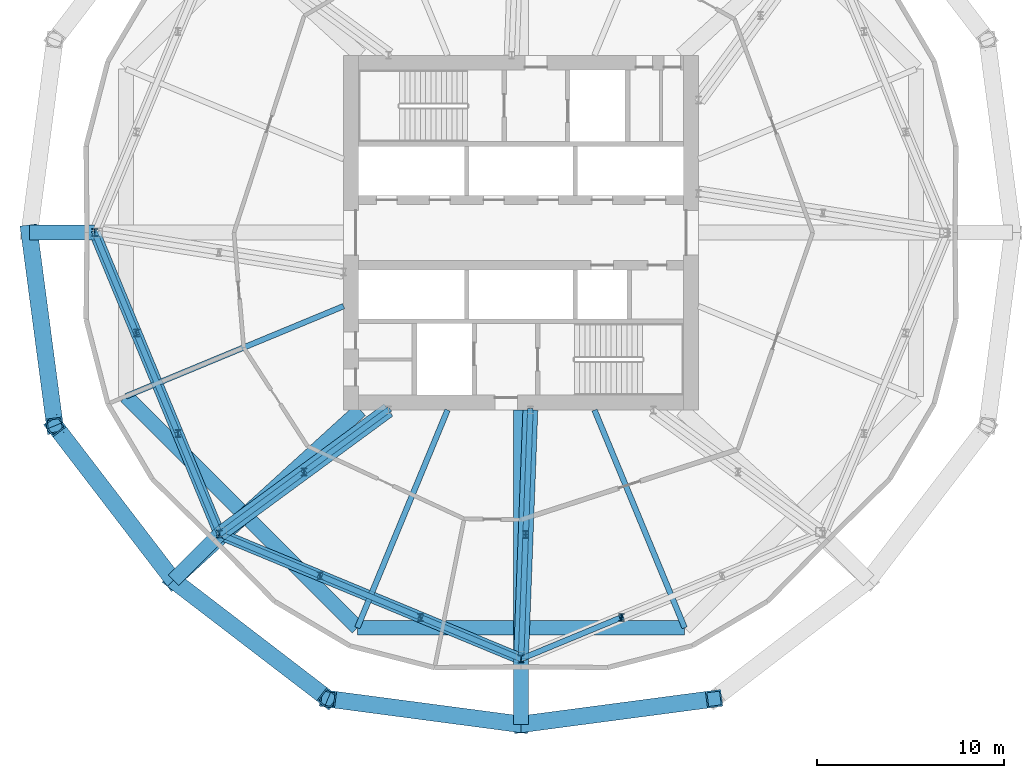
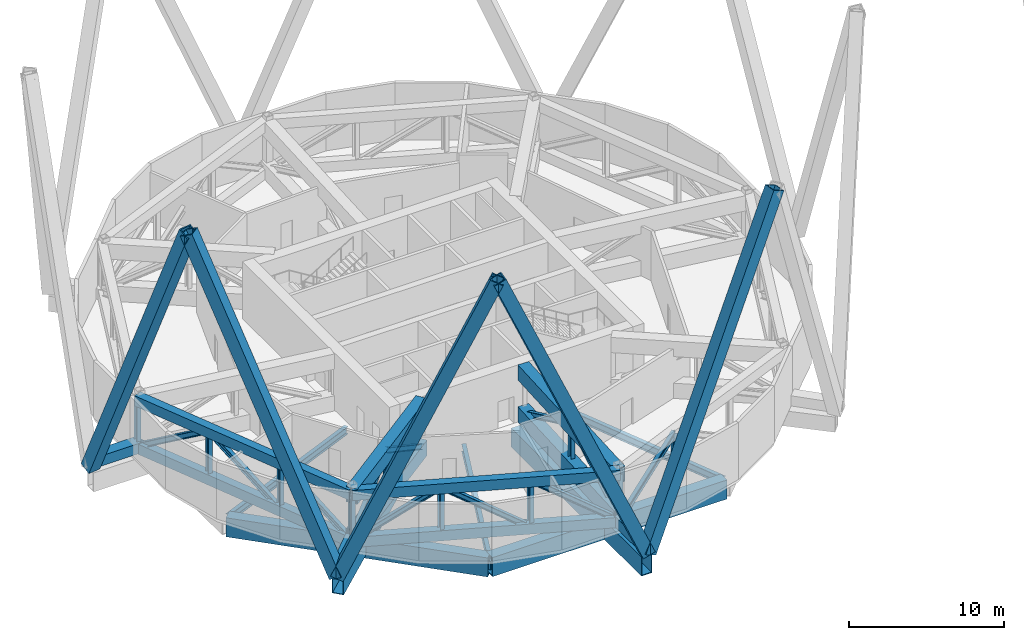
# One storey, part 3 of 21: 34 members, 10 beams.
"""IFC4 building model written with IfcOpenShell, lengths in metres."""

import ifcopenshell
import ifcopenshell.guid

model = None  # the IFC model being written
_history = None  # IfcOwnerHistory: only IFC2X3 demands one
_inside = {}  # id of a spatial element -> (the spatial element, [elements in it])
_under = {}  # id of a project, library or spatial element -> (it, [spatial elements below it])
_declared = {}  # id of a project -> (the project, [libraries it declares])
_typed = {}  # id of a type object -> (the type object, [elements of that type])
_made_of = {}  # id of a material, layer set ... -> (it, [elements and type objects made of it])


def new_model(schema):
    """Start an empty IFC model of exactly this schema.

    Asked for "IFC4X3", IfcOpenShell would pick the latest addendum, in which some entities
    have other attributes; the version numbers below select the first issue.
    IFC2X3 requires an IfcOwnerHistory on every rooted entity: one is made here for all.
    """
    global model, _history
    if schema == "IFC4X3":
        model = ifcopenshell.file(schema_version=(4, 3, 0, 0))
    else:
        model = ifcopenshell.file(schema=schema)
    _inside.clear()
    _under.clear()
    _declared.clear()
    _typed.clear()
    _made_of.clear()
    _history = None
    if model.schema == "IFC2X3":
        org = make("IfcOrganization", Name="unknown")
        user = make(
            "IfcPersonAndOrganization",
            ThePerson=make("IfcPerson", FamilyName="unknown"),
            TheOrganization=org,
        )
        app = make(
            "IfcApplication",
            ApplicationDeveloper=org,
            Version="unknown",
            ApplicationFullName="unknown",
            ApplicationIdentifier="unknown",
        )
        _history = make(
            "IfcOwnerHistory",
            OwningUser=user,
            OwningApplication=app,
            ChangeAction="ADDED",
            CreationDate=0,
        )
    return model


def make(cls, **values):
    """One entity of the class cls with the attributes given. An attribute that is None is left unset."""
    return model.create_entity(
        cls, **{name: value for name, value in values.items() if value is not None}
    )


def rooted(cls, **values):
    """An entity with a GlobalId (a new one), such as an element, a storey or a relation."""
    return make(cls, GlobalId=ifcopenshell.guid.new(), OwnerHistory=_history, **values)


def si_unit(unit_type, name, prefix=None):
    """IfcSIUnit, for example si_unit("LENGTHUNIT", "METRE", prefix="MILLI")."""
    return make("IfcSIUnit", UnitType=unit_type, Prefix=prefix, Name=name)


def assignment(units):
    """IfcUnitAssignment: the units of a project."""
    return None if units is None else make("IfcUnitAssignment", Units=units)


def point(xyz):
    """IfcCartesianPoint."""
    return None if xyz is None else make("IfcCartesianPoint", Coordinates=xyz)


def direction(xyz):
    """IfcDirection."""
    return None if xyz is None else make("IfcDirection", DirectionRatios=xyz)


def frame(location, z_axis=None, x_axis=None):
    """IfcAxis2Placement3D, a coordinate frame: its origin and axes. An axis left out is left unset."""
    return make(
        "IfcAxis2Placement3D",
        Location=point(location),
        Axis=direction(z_axis),
        RefDirection=direction(x_axis),
    )


def frame_2d(location, x_axis=None):
    """IfcAxis2Placement2D, a coordinate frame in the plane: its origin and x axis."""
    return make(
        "IfcAxis2Placement2D", Location=point(location), RefDirection=direction(x_axis)
    )


def origin():
    """The frame at (0, 0, 0) with its axes left unset."""
    return frame((0.0, 0.0, 0.0))


def origin_2d():
    """The frame at (0, 0) in the plane with its x axis left unset."""
    return frame_2d((0.0, 0.0))


def place(relative_to, where):
    """IfcLocalPlacement: puts the frame where relative to a parent placement (None: the world)."""
    return make(
        "IfcLocalPlacement", PlacementRelTo=relative_to, RelativePlacement=where
    )


def context(
    kind, dimensions, precision=None, world=None, true_north=None, identifier=None
):
    """IfcGeometricRepresentationContext, for example the 3D "Model" context."""
    return make(
        "IfcGeometricRepresentationContext",
        ContextIdentifier=identifier,
        ContextType=kind,
        CoordinateSpaceDimension=dimensions,
        Precision=precision,
        WorldCoordinateSystem=world,
        TrueNorth=true_north,
    )


def subcontext(parent, identifier, kind, view, scale=None):
    """IfcGeometricRepresentationSubContext, for example "Body" below "Model"."""
    return make(
        "IfcGeometricRepresentationSubContext",
        ContextIdentifier=identifier,
        ContextType=kind,
        ParentContext=parent,
        TargetScale=scale,
        TargetView=view,
    )


def project(units=None, contexts=None):
    """IfcProject with its units and contexts."""
    return rooted(
        "IfcProject",
        Name="project",
        RepresentationContexts=contexts,
        UnitsInContext=assignment(units),
    )


def spatial(cls, under=None, at=None, **own):
    """A site, building, storey or space (cls), placed at a placement, below another one or the project."""
    s = rooted(cls, ObjectPlacement=at, **own)
    if under is not None:
        _under.setdefault(under.id(), (under, []))[1].append(s)
    return s


def profile(cls, at=None, kind="AREA", **sizes):
    """A parametric profile (cls). Its sizes go by their IFC names, for example OverallWidth=200.0."""
    return make(cls, ProfileType=kind, Position=at, **sizes)


def hollow_rectangle(**sizes):
    """IfcRectangleHollowProfileDef."""
    return profile("IfcRectangleHollowProfileDef", **sizes)


def i_section(**sizes):
    """IfcIShapeProfileDef."""
    return profile("IfcIShapeProfileDef", **sizes)


def extrude(swept, where, along, depth):
    """IfcExtrudedAreaSolid: the profile swept, set in the frame where, extruded along a direction by depth."""
    return make(
        "IfcExtrudedAreaSolid",
        SweptArea=swept,
        Position=where,
        ExtrudedDirection=direction(along),
        Depth=depth,
    )


def shape(context_of_items, identifier, shape_type, items):
    """IfcShapeRepresentation: the items that make up one representation, for example the "Body"."""
    return make(
        "IfcShapeRepresentation",
        ContextOfItems=context_of_items,
        RepresentationIdentifier=identifier,
        RepresentationType=shape_type,
        Items=items,
    )


def material(Name=None, Category=None):
    """IfcMaterial."""
    return make("IfcMaterial", Name=Name, Category=Category)


def material_profile(
    of_material, cross_section, Name=None, Category=None, Priority=None
):
    """IfcMaterialProfile: a cross section and its material."""
    return make(
        "IfcMaterialProfile",
        Name=Name,
        Material=of_material,
        Profile=cross_section,
        Priority=Priority,
        Category=Category,
    )


def profile_set(profiles, Name=None, composite=None):
    """IfcMaterialProfileSet."""
    return make(
        "IfcMaterialProfileSet",
        Name=Name,
        MaterialProfiles=profiles,
        CompositeProfile=composite,
    )


def made_of(thing, what):
    """Note that an element or type object is made of a material, layer set ...; save() writes the relation."""
    if what is not None:
        _made_of.setdefault(what.id(), (what, []))[1].append(thing)
    return thing


def type_object(cls, material=None, **own):
    """A type object (cls), such as IfcWallType, which elements share."""
    return made_of(rooted(cls, **own), material)


def element(
    cls,
    number,
    at=None,
    inside=None,
    cuts=None,
    type_object=None,
    material=None,
    context=None,
    identifier="Body",
    shape_type=None,
    held_by="IfcProductDefinitionShape",
    body=None,
    shapes=None,
    **own,
):
    """One element of the class cls, such as IfcWall. Its Tag is "e" and its number.

    at: its placement. inside: the storey or other place that contains it. cuts: it is an
    opening in that element (IfcRelVoidsElement). A single representation is given by context,
    identifier, shape_type and body (its items); several are given by shapes. held_by: the class
    of the entity that holds the representations. save() writes the other relations.
    """
    e = rooted(cls, Tag="e%d" % number, ObjectPlacement=at, **own)
    if body is not None:
        shapes = [shape(context, identifier, shape_type, body)]
    if shapes is not None:
        e.Representation = make(held_by, Representations=shapes)
    if inside is not None:
        _inside.setdefault(inside.id(), (inside, []))[1].append(e)
    if cuts is not None:
        rooted(
            "IfcRelVoidsElement", RelatingBuildingElement=cuts, RelatedOpeningElement=e
        )
    if type_object is not None:
        _typed.setdefault(type_object.id(), (type_object, []))[1].append(e)
    return made_of(e, material)


def aggregate(whole, parts):
    """IfcRelAggregates: a whole, such as a stair, and the parts it consists of."""
    return rooted("IfcRelAggregates", RelatingObject=whole, RelatedObjects=parts)


def save(model, path):
    """Write the relations noted so far, then the file.

    IfcRelAggregates (storeys below a building ...), IfcRelContainedInSpatialStructure (elements
    in a storey), IfcRelDefinesByType, IfcRelAssociatesMaterial and IfcRelDeclares: one each for
    every whole, place, type object, material and project.
    """
    for whole, parts in _under.values():
        aggregate(whole, parts)
    for where, things in _inside.values():
        rooted(
            "IfcRelContainedInSpatialStructure",
            RelatedElements=things,
            RelatingStructure=where,
        )
    for kind, things in _typed.values():
        rooted("IfcRelDefinesByType", RelatedObjects=things, RelatingType=kind)
    for what, things in _made_of.values():
        rooted("IfcRelAssociatesMaterial", RelatedObjects=things, RelatingMaterial=what)
    for by, libraries in _declared.values():
        rooted("IfcRelDeclares", RelatingContext=by, RelatedDefinitions=libraries)
    model.write(path)


model = new_model("IFC4")

# Units and contexts
model_context = context("Model", 3, precision=1e-05, world=origin(), true_north=direction((0.0, 1.0)))
body_context = subcontext(model_context, "Body", "Model", "MODEL_VIEW")
ifc_project = project(units=[si_unit("LENGTHUNIT", "METRE"), si_unit("AREAUNIT", "SQUARE_METRE"), si_unit("VOLUMEUNIT", "CUBIC_METRE"), si_unit("PLANEANGLEUNIT", "RADIAN"), si_unit("MASSUNIT", "GRAM", prefix="KILO")], contexts=[model_context])

# Site, building, storey
site_placement = place(None, origin())
site = spatial("IfcSite", under=ifc_project, at=site_placement, CompositionType="ELEMENT")
building_placement = place(site_placement, origin())
building = spatial("IfcBuilding", under=site, at=building_placement, Name="Ogive Gate Towers", CompositionType="ELEMENT")
storey_placement = place(building_placement, frame((0.0, 0.0, 71.39990234375)))
storey = spatial("IfcBuildingStorey", under=building, at=storey_placement, Name="L16", CompositionType="ELEMENT", Elevation=71.39990234375)

# Members
ifc_material_1 = material(Name="Steel SM460", Category="steel")
ifc_material_profile_1 = material_profile(ifc_material_1, hollow_rectangle(XDim=0.89990234375, YDim=0.89990234375, WallThickness=0.080078125, at=origin_2d()), Name="BX 900x900x80")
ifc_profile_set_1 = profile_set([ifc_material_profile_1], Name="Steel SM460")
member_type_1 = type_object("IfcMemberType", Name="Diagrid diagonal BX 900x900x80", PredefinedType="BRACE", material=ifc_profile_set_1)
for number, where, z_axis, x_axis, name in (
    (1, (-62.330078125, 0.0, 0.0), (0.05169225596, -0.391020203016, 0.918929328897), (0.991374679477, 0.131058173692, 0.0), "T1/L16/SDG010"),
    (2, (-54.6181640625, -18.6181640625, 0.0), (-0.239941197331, 0.313043448302, 0.918929823925), (-0.793678314576, -0.608337680052, 0.0), "T1/L16/SDG011"),
    (3, (-54.6181640625, -18.6181640625, 0.0), (0.313043448302, -0.239941197331, 0.918929823925), (0.608337680052, 0.793678314576, 0.0), "T1/L16/SDG012"),
    (4, (-36.0, -26.330078125, 0.0), (-0.391020203016, 0.05169225596, 0.918929328897), (-0.131058173692, -0.991374679477, 0.0), "T1/L16/SDG013"),
    (5, (-36.0, -26.330078125, 0.0), (0.391020203016, 0.05169225596, 0.918929328897), (-0.131058173692, 0.991374679477, 0.0), "T1/L16/SDG014"),
):
    element("IfcMember", number, at=place(storey_placement, frame(where, z_axis=z_axis, x_axis=x_axis)), inside=storey, type_object=member_type_1, Name=name, PredefinedType="BRACE", context=body_context, shape_type="SweptSolid", body=[
        extrude(hollow_rectangle(XDim=0.89990234375, YDim=0.89990234375, WallThickness=0.080078125, at=origin_2d()), origin(), (0.0, 0.0, 1.0), 26.44384765625),
    ])

# Beams
ifc_material_profile_2 = material_profile(ifc_material_1, hollow_rectangle(XDim=0.800048828125, YDim=1.5, WallThickness=0.06005859375, at=origin_2d()), Name="BX 1500x800x60")
ifc_profile_set_2 = profile_set([ifc_material_profile_2], Name="Steel SM460")
beam_type_1 = type_object("IfcBeamType", Name="Edge girder BX 1500x800x60", PredefinedType="BEAM", material=ifc_profile_set_2)
for number, where, z_axis, x_axis, name in (
    (6, (-57.15673828125, -8.763427734375, -1.0498046875), (0.707106781187, -0.707106781187, 0.0), (0.707106781187, 0.707106781187, 0.0), "T1/L16/SBM017"),
    (7, (-44.763427734375, -21.15673828125, -1.0498046875), (1.0, 0.0, 0.0), (0.0, 1.0, 0.0), "T1/L16/SBM018"),
):
    element("IfcBeam", number, at=place(storey_placement, frame(where, z_axis=z_axis, x_axis=x_axis)), inside=storey, type_object=beam_type_1, Name=name, PredefinedType="BEAM", context=body_context, shape_type="SweptSolid", body=[
        extrude(hollow_rectangle(XDim=0.800048828125, YDim=1.5, WallThickness=0.06005859375, at=origin_2d()), origin(), (0.0, 0.0, 1.0), 17.52685546875),
    ])
ifc_material_profile_3 = material_profile(ifc_material_1, hollow_rectangle(XDim=0.800048828125, YDim=0.800048828125, WallThickness=0.050048828125, at=origin_2d()), Name="BX 800x800x50")
ifc_profile_set_3 = profile_set([ifc_material_profile_3], Name="Steel SM460")
beam_type_2 = type_object("IfcBeamType", Name="Node arm BX 800x800x50", PredefinedType="BEAM", material=ifc_profile_set_3)
for number, where, z_axis, x_axis, name in (
    (8, (-58.830078125, 0.0, 0.4501953125), (-1.0, 0.0, 0.0), (0.0, -1.0, 0.0), "T1/L16/SBM029"),
    (9, (-52.143310546875, -16.143310546875, 0.4501953125), (-0.707106781187, -0.707106781187, 0.0), (0.707106781187, -0.707106781187, 0.0), "T1/L16/SBM030"),
    (10, (-36.0, -22.830078125, 0.4501953125), (0.0, -1.0, 0.0), (1.0, 0.0, 0.0), "T1/L16/SBM031"),
):
    element("IfcBeam", number, at=place(storey_placement, frame(where, z_axis=z_axis, x_axis=x_axis)), inside=storey, type_object=beam_type_2, Name=name, PredefinedType="BEAM", context=body_context, shape_type="SweptSolid", body=[
        extrude(hollow_rectangle(XDim=0.800048828125, YDim=0.800048828125, WallThickness=0.050048828125, at=origin_2d()), origin(), (0.0, 0.0, 1.0), 3.5),
    ])
ifc_material_2 = material(Name="Steel SM355", Category="steel")
ifc_material_profile_4 = material_profile(ifc_material_2, i_section(OverallWidth=0.300048828125, OverallDepth=0.590087890625, WebThickness=0.012939453125, FlangeThickness=0.02490234375, FilletRadius=0.027099609375, at=origin_2d()), Name="HE 600 A")
ifc_profile_set_4 = profile_set([ifc_material_profile_4], Name="Steel SM355")
beam_type_3 = type_object("IfcBeamType", Name="Radial floor beam HE 600 A", PredefinedType="BEAM", material=ifc_profile_set_4)
for number, where, z_axis, x_axis, name in (
    (11, (-45.5, -3.93505859375, -0.594970703125), (-0.923879811284, -0.382682759347, 0.0), (0.382682759347, -0.923879811284, 0.0), "T1/L16/SBM001"),
    (12, (-39.93505859375, -9.5, -0.594970703125), (-0.382682759347, -0.923879811284, 0.0), (0.923879811284, -0.382682759347, 0.0), "T1/L16/SBM003"),
    (13, (-32.06494140625, -9.5, -0.594970703125), (0.382682759347, -0.923879811284, 0.0), (0.923879811284, 0.382682759347, 0.0), "T1/L16/SBM005"),
):
    element("IfcBeam", number, at=place(storey_placement, frame(where, z_axis=z_axis, x_axis=x_axis)), inside=storey, type_object=beam_type_3, Name=name, PredefinedType="BEAM", context=body_context, shape_type="SweptSolid", body=[
        extrude(i_section(OverallWidth=0.300048828125, OverallDepth=0.590087890625, WebThickness=0.012939453125, FlangeThickness=0.02490234375, FilletRadius=0.027099609375, at=origin_2d()), origin(), (0.0, 0.0, 1.0), 12.6171875),
    ])
ifc_material_profile_5 = material_profile(ifc_material_1, hollow_rectangle(XDim=0.800048828125, YDim=1.199951171875, WallThickness=0.050048828125, at=origin_2d()), Name="BX 1200x800x50")
ifc_profile_set_5 = profile_set([ifc_material_profile_5], Name="Steel SM460")
beam_type_4 = type_object("IfcBeamType", Name="Transfer radial beam BX 1200x800x50", PredefinedType="BEAM", material=ifc_profile_set_5)
beam_1_placement = place(storey_placement, frame((-44.60009765625, -9.5, -0.89990234375), z_axis=(-0.739541977393, -0.673110439433, 0.0), x_axis=(0.673110439433, -0.739541977393, 0.0)))
element("IfcBeam", 14, at=beam_1_placement, inside=storey, type_object=beam_type_4, Name="T1/L16/SBM002", PredefinedType="BEAM", context=body_context, shape_type="SweptSolid", body=[
    extrude(hollow_rectangle(XDim=0.800048828125, YDim=1.199951171875, WallThickness=0.050048828125, at=origin_2d()), origin(), (0.0, 0.0, 1.0), 13.54638671875),
])
ifc_material_profile_6 = material_profile(ifc_material_1, hollow_rectangle(XDim=0.800048828125, YDim=1.5, WallThickness=0.06005859375, at=origin_2d()), Name="BX 1500x800x60")
ifc_profile_set_6 = profile_set([ifc_material_profile_6], Name="Steel SM460")
beam_type_5 = type_object("IfcBeamType", Name="Transfer radial beam BX 1500x800x60", PredefinedType="BEAM", material=ifc_profile_set_6)
beam_2_placement = place(storey_placement, frame((-36.0, -9.5, -1.0498046875), z_axis=(0.0, -1.0, 0.0), x_axis=(1.0, 0.0, 0.0)))
element("IfcBeam", 15, at=beam_2_placement, inside=storey, type_object=beam_type_5, Name="T1/L16/SBM004", PredefinedType="BEAM", context=body_context, shape_type="SweptSolid", body=[
    extrude(hollow_rectangle(XDim=0.800048828125, YDim=1.5, WallThickness=0.06005859375, at=origin_2d()), origin(), (0.0, 0.0, 1.0), 16.830078125),
])

# Members
ifc_material_profile_7 = material_profile(ifc_material_1, hollow_rectangle(XDim=0.800048828125, YDim=1.199951171875, WallThickness=0.050048828125, at=origin_2d()), Name="BX 1200x800x50")
ifc_profile_set_7 = profile_set([ifc_material_profile_7], Name="Steel SM460")
member_type_2 = type_object("IfcMemberType", Name="Truss chord BX 1200x800x50", PredefinedType="CHORD", material=ifc_profile_set_7)
for number, where, z_axis, x_axis, name in (
    (16, (-43.10009765625, -9.5, 0.60009765625), (-0.805910837302, -0.592036926482, 0.0), (0.592036926482, -0.805910837302, 0.0), "T1/L16/STR080"),
    (17, (-43.10009765625, -9.5, 3.900146484375), (-0.805910837302, -0.592036926482, 0.0), (0.592036926482, -0.805910837302, 0.0), "T1/L16/STR081"),
):
    element("IfcMember", number, at=place(storey_placement, frame(where, z_axis=z_axis, x_axis=x_axis)), inside=storey, type_object=member_type_2, Name=name, PredefinedType="CHORD", context=body_context, shape_type="SweptSolid", body=[
        extrude(hollow_rectangle(XDim=0.800048828125, YDim=1.199951171875, WallThickness=0.050048828125, at=origin_2d()), origin(), (0.0, 0.0, 1.0), 11.22119140625),
    ])
for number, where, z_axis, x_axis, name in (
    (18, (-35.5, -9.5, 0.60009765625), (-0.037482798811, -0.999297272984, 0.0), (0.999297272984, -0.037482798811, 0.0), "T1/L16/STR094"),
    (19, (-35.5, -9.5, 3.900146484375), (-0.037482798811, -0.999297272984, 0.0), (0.999297272984, -0.037482798811, 0.0), "T1/L16/STR095"),
):
    element("IfcMember", number, at=place(storey_placement, frame(where, z_axis=z_axis, x_axis=x_axis)), inside=storey, type_object=member_type_2, Name=name, PredefinedType="CHORD", context=body_context, shape_type="SweptSolid", body=[
        extrude(hollow_rectangle(XDim=0.800048828125, YDim=1.199951171875, WallThickness=0.050048828125, at=origin_2d()), origin(), (0.0, 0.0, 1.0), 13.33935546875),
    ])
ifc_material_profile_8 = material_profile(ifc_material_1, hollow_rectangle(XDim=0.60009765625, YDim=0.800048828125, WallThickness=0.0400390625, at=origin_2d()), Name="BX 800x600x40")
ifc_profile_set_8 = profile_set([ifc_material_profile_8], Name="Steel SM460")
member_type_3 = type_object("IfcMemberType", Name="Truss chord BX 800x600x40", PredefinedType="CHORD", material=ifc_profile_set_8)
for number, where, z_axis, x_axis, name in (
    (20, (-58.830078125, 0.0, 0.400146484375), (0.382682914959, -0.923879746828, 0.0), (0.923879746828, 0.382682914959, 0.0), "T1/L16/STR058"),
    (21, (-58.830078125, 0.0, 4.10009765625), (0.382682914959, -0.923879746828, 0.0), (0.923879746828, 0.382682914959, 0.0), "T1/L16/STR059"),
    (22, (-52.143310546875, -16.143310546875, 0.400146484375), (0.923879746828, -0.382682914959, 0.0), (0.382682914959, 0.923879746828, 0.0), "T1/L16/STR072"),
    (23, (-52.143310546875, -16.143310546875, 4.10009765625), (0.923879746828, -0.382682914959, 0.0), (0.382682914959, 0.923879746828, 0.0), "T1/L16/STR073"),
):
    element("IfcMember", number, at=place(storey_placement, frame(where, z_axis=z_axis, x_axis=x_axis)), inside=storey, type_object=member_type_3, Name=name, PredefinedType="CHORD", context=body_context, shape_type="SweptSolid", body=[
        extrude(hollow_rectangle(XDim=0.60009765625, YDim=0.800048828125, WallThickness=0.0400390625, at=origin_2d()), origin(), (0.0, 0.0, 1.0), 17.473388671875),
    ])
ifc_material_profile_9 = material_profile(ifc_material_1, i_section(OverallWidth=0.300048828125, OverallDepth=0.39990234375, WebThickness=0.013427734375, FlangeThickness=0.02392578125, FilletRadius=0.027099609375, at=origin_2d()), Name="HE 400 B")
ifc_profile_set_9 = profile_set([ifc_material_profile_9], Name="Steel SM460")
member_type_4 = type_object("IfcMemberType", Name="Truss diagonal HE 400 B", PredefinedType="BRACE", material=ifc_profile_set_9)
for number, where, z_axis, x_axis, name in (
    (24, (-58.830078125, 0.0, 0.400146484375), (0.323029212472, -0.779834268576, 0.536200187844), (0.923874806885, 0.382694840836, 0.0), "T1/L16/STR060"),
    (25, (-56.60107421875, -5.381103515625, 4.10009765625), (0.323029212472, -0.779834268576, -0.536200187844), (0.923874806885, 0.382694840836, 0.0), "T1/L16/STR061"),
):
    element("IfcMember", number, at=place(storey_placement, frame(where, z_axis=z_axis, x_axis=x_axis)), inside=storey, type_object=member_type_4, Name=name, PredefinedType="BRACE", context=body_context, shape_type="SweptSolid", body=[
        extrude(i_section(OverallWidth=0.300048828125, OverallDepth=0.39990234375, WebThickness=0.013427734375, FlangeThickness=0.02392578125, FilletRadius=0.027099609375, at=origin_2d()), origin(), (0.0, 0.0, 1.0), 6.900390625),
    ])
for number, where, z_axis, x_axis, name in (
    (26, (-54.3720703125, -10.76220703125, 4.10009765625), (0.322997522794, -0.779843181061, -0.53620631591), (0.923889626408, 0.382659062633, 0.0), "T1/L16/STR062"),
    (27, (-52.143310546875, -16.143310546875, 0.400146484375), (0.779843181061, -0.322997522794, 0.53620631591), (0.382659062633, 0.923889626408, 0.0), "T1/L16/STR074"),
):
    element("IfcMember", number, at=place(storey_placement, frame(where, z_axis=z_axis, x_axis=x_axis)), inside=storey, type_object=member_type_4, Name=name, PredefinedType="BRACE", context=body_context, shape_type="SweptSolid", body=[
        extrude(i_section(OverallWidth=0.300048828125, OverallDepth=0.39990234375, WebThickness=0.013427734375, FlangeThickness=0.02392578125, FilletRadius=0.027099609375, at=origin_2d()), origin(), (0.0, 0.0, 1.0), 6.900146484375),
    ])
for number, where, z_axis, x_axis, name in (
    (28, (-46.76220703125, -18.3720703125, 4.10009765625), (0.779834268576, -0.323029212472, -0.536200187844), (0.382694840836, 0.923874806885, 0.0), "T1/L16/STR075"),
    (29, (-41.381103515625, -20.60107421875, 4.10009765625), (0.779834268576, -0.323029212472, -0.536200187844), (0.382694840836, 0.923874806885, 0.0), "T1/L16/STR076"),
):
    element("IfcMember", number, at=place(storey_placement, frame(where, z_axis=z_axis, x_axis=x_axis)), inside=storey, type_object=member_type_4, Name=name, PredefinedType="BRACE", context=body_context, shape_type="SweptSolid", body=[
        extrude(i_section(OverallWidth=0.300048828125, OverallDepth=0.39990234375, WebThickness=0.013427734375, FlangeThickness=0.02392578125, FilletRadius=0.027099609375, at=origin_2d()), origin(), (0.0, 0.0, 1.0), 6.900390625),
    ])
member_1_placement = place(storey_placement, frame((-43.10009765625, -9.5, 0.60009765625), z_axis=(-0.694654066067, -0.510300678663, 0.5069999466), x_axis=(0.592033176208, -0.805913592309, 0.0)))
element("IfcMember", 30, at=member_1_placement, inside=storey, type_object=member_type_4, Name="T1/L16/STR082", PredefinedType="BRACE", context=body_context, shape_type="SweptSolid", body=[
    extrude(i_section(OverallWidth=0.300048828125, OverallDepth=0.39990234375, WebThickness=0.013427734375, FlangeThickness=0.02392578125, FilletRadius=0.027099609375, at=origin_2d()), origin(), (0.0, 0.0, 1.0), 6.509033203125),
])
member_2_placement = place(storey_placement, frame((-47.62158203125, -12.821533203125, 3.900146484375), z_axis=(-0.694660178377, -0.510315122671, -0.506977033158), x_axis=(0.592040676516, -0.805908082445, 0.0)))
element("IfcMember", 31, at=member_2_placement, inside=storey, type_object=member_type_4, Name="T1/L16/STR083", PredefinedType="BRACE", context=body_context, shape_type="SweptSolid", body=[
    extrude(i_section(OverallWidth=0.300048828125, OverallDepth=0.39990234375, WebThickness=0.013427734375, FlangeThickness=0.02392578125, FilletRadius=0.027099609375, at=origin_2d()), origin(), (0.0, 0.0, 1.0), 6.50927734375),
])
member_3_placement = place(storey_placement, frame((-36.0, -22.830078125, 0.400146484375), z_axis=(0.779834268576, 0.323029212472, 0.536200187844), x_axis=(-0.382694840836, 0.923874806885, 0.0)))
element("IfcMember", 32, at=member_3_placement, inside=storey, type_object=member_type_4, Name="T1/L16/STR088", PredefinedType="BRACE", context=body_context, shape_type="SweptSolid", body=[
    extrude(i_section(OverallWidth=0.300048828125, OverallDepth=0.39990234375, WebThickness=0.013427734375, FlangeThickness=0.02392578125, FilletRadius=0.027099609375, at=origin_2d()), origin(), (0.0, 0.0, 1.0), 6.900390625),
])
for number, where, z_axis, x_axis, name in (
    (33, (-35.5, -9.5, 0.60009765625), (-0.033595484743, -0.895660872538, 0.443466960223), (0.999297272984, -0.037482798811, 0.0), "T1/L16/STR096"),
    (34, (-35.75, -16.1650390625, 3.900146484375), (-0.033595484743, -0.895660872538, -0.443466960223), (0.999297272984, -0.037482798811, 0.0), "T1/L16/STR097"),
):
    element("IfcMember", number, at=place(storey_placement, frame(where, z_axis=z_axis, x_axis=x_axis)), inside=storey, type_object=member_type_4, Name=name, PredefinedType="BRACE", context=body_context, shape_type="SweptSolid", body=[
        extrude(i_section(OverallWidth=0.300048828125, OverallDepth=0.39990234375, WebThickness=0.013427734375, FlangeThickness=0.02392578125, FilletRadius=0.027099609375, at=origin_2d()), origin(), (0.0, 0.0, 1.0), 7.44140625),
    ])
ifc_material_profile_10 = material_profile(ifc_material_1, i_section(OverallWidth=0.300048828125, OverallDepth=0.39990234375, WebThickness=0.013427734375, FlangeThickness=0.02392578125, FilletRadius=0.027099609375, at=origin_2d()), Name="HE 400 B")
ifc_profile_set_10 = profile_set([ifc_material_profile_10], Name="Steel SM460")
member_type_5 = type_object("IfcMemberType", Name="Truss post HE 400 B", PredefinedType="POST", material=ifc_profile_set_10)
for number, where, z_axis, x_axis, name in (
    (35, (-58.830078125, 0.0, 0.400146484375), (0.0, 0.0, 1.0), (1.0, 0.0, 0.0), "T1/L16/STR051"),
    (36, (-56.60107421875, -5.381103515625, 0.400146484375), (0.0, 0.0, 1.0), (1.0, 0.0, 0.0), "T1/L16/STR063"),
    (37, (-54.3720703125, -10.76220703125, 0.400146484375), (0.0, 0.0, 1.0), (1.0, 0.0, 0.0), "T1/L16/STR064"),
    (38, (-52.143310546875, -16.143310546875, 0.400146484375), (0.0, 0.0, 1.0), (1.0, 0.0, 0.0), "T1/L16/STR065"),
    (39, (-46.76220703125, -18.3720703125, 0.400146484375), (0.0, 0.0, 1.0), (1.0, 0.0, 0.0), "T1/L16/STR077"),
    (40, (-41.381103515625, -20.60107421875, 0.400146484375), (0.0, 0.0, 1.0), (1.0, 0.0, 0.0), "T1/L16/STR078"),
    (41, (-36.0, -22.830078125, 0.400146484375), (0.0, 0.0, 1.0), (1.0, 0.0, 0.0), "T1/L16/STR079"),
):
    element("IfcMember", number, at=place(storey_placement, frame(where, z_axis=z_axis, x_axis=x_axis)), inside=storey, type_object=member_type_5, Name=name, PredefinedType="POST", context=body_context, shape_type="SweptSolid", body=[
        extrude(i_section(OverallWidth=0.300048828125, OverallDepth=0.39990234375, WebThickness=0.013427734375, FlangeThickness=0.02392578125, FilletRadius=0.027099609375, at=origin_2d()), origin(), (0.0, 0.0, 1.0), 3.699951171875),
    ])
member_4_placement = place(storey_placement, frame((-47.62158203125, -12.821533203125, 0.60009765625), z_axis=(0.0, 0.0, 1.0), x_axis=(1.0, 0.0, 0.0)))
element("IfcMember", 42, at=member_4_placement, inside=storey, type_object=member_type_5, Name="T1/L16/STR085", PredefinedType="POST", context=body_context, shape_type="SweptSolid", body=[
    extrude(i_section(OverallWidth=0.300048828125, OverallDepth=0.39990234375, WebThickness=0.013427734375, FlangeThickness=0.02392578125, FilletRadius=0.027099609375, at=origin_2d()), origin(), (0.0, 0.0, 1.0), 3.300048828125),
])
member_5_placement = place(storey_placement, frame((-30.618896484375, -20.60107421875, 0.400146484375), z_axis=(0.0, 0.0, 1.0), x_axis=(1.0, 0.0, 0.0)))
element("IfcMember", 43, at=member_5_placement, inside=storey, type_object=member_type_5, Name="T1/L16/STR091", PredefinedType="POST", context=body_context, shape_type="SweptSolid", body=[
    extrude(i_section(OverallWidth=0.300048828125, OverallDepth=0.39990234375, WebThickness=0.013427734375, FlangeThickness=0.02392578125, FilletRadius=0.027099609375, at=origin_2d()), origin(), (0.0, 0.0, 1.0), 3.699951171875),
])
member_6_placement = place(storey_placement, frame((-35.75, -16.1650390625, 0.60009765625), z_axis=(0.0, 0.0, 1.0), x_axis=(1.0, 0.0, 0.0)))
element("IfcMember", 44, at=member_6_placement, inside=storey, type_object=member_type_5, Name="T1/L16/STR099", PredefinedType="POST", context=body_context, shape_type="SweptSolid", body=[
    extrude(i_section(OverallWidth=0.300048828125, OverallDepth=0.39990234375, WebThickness=0.013427734375, FlangeThickness=0.02392578125, FilletRadius=0.027099609375, at=origin_2d()), origin(), (0.0, 0.0, 1.0), 3.300048828125),
])

save(model, "model.ifc")
